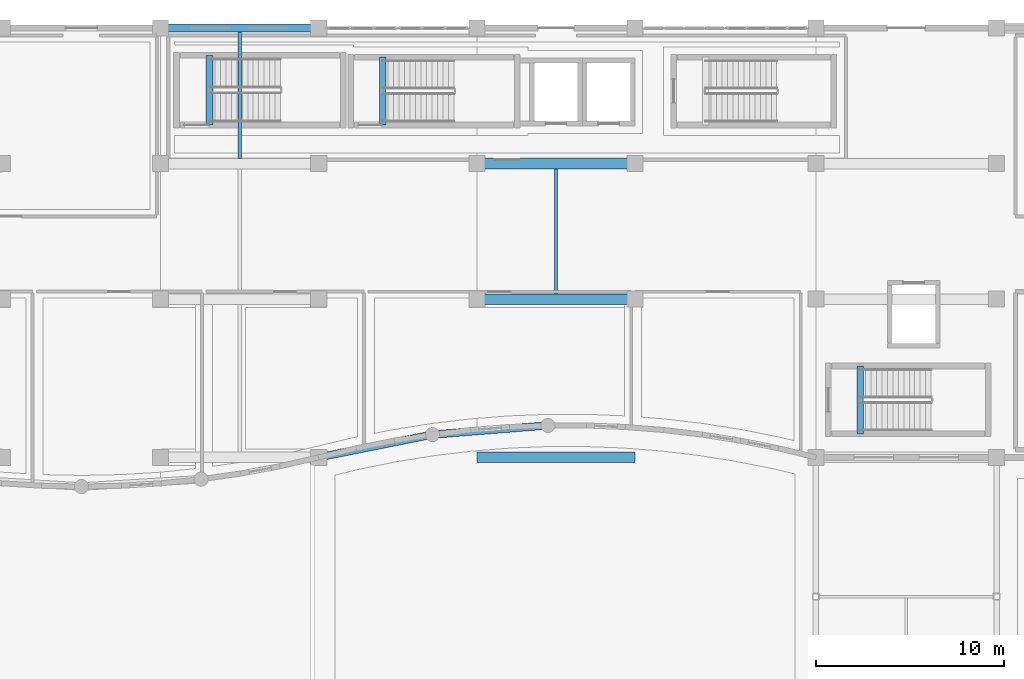
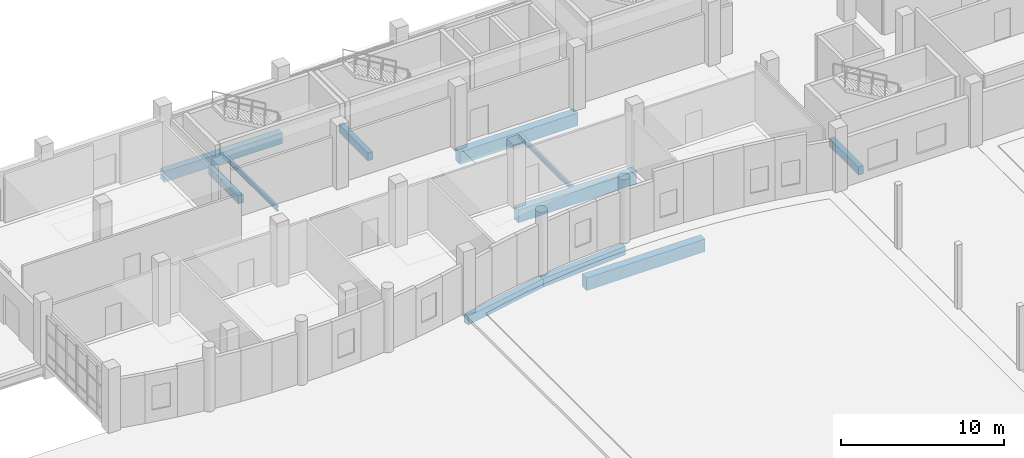
# One storey, part 32 of 97: 11 beams.
"""IFC4 building model written with IfcOpenShell, lengths in metres."""

from ifc_helpers import new_model, si_unit, direction, frame, origin, origin_2d, place, context, subcontext, project, spatial, rectangle, i_section, extrude, material, material_profile, profile_set, type_object, element, save


model = new_model("IFC4")

# Units and contexts
model_context = context("Model", 3, precision=1e-05, world=origin(), true_north=direction((0.0, 1.0)))
body_context = subcontext(model_context, "Body", "Model", "MODEL_VIEW")
ifc_project = project(units=[si_unit("LENGTHUNIT", "METRE"), si_unit("AREAUNIT", "SQUARE_METRE"), si_unit("VOLUMEUNIT", "CUBIC_METRE"), si_unit("PLANEANGLEUNIT", "RADIAN"), si_unit("MASSUNIT", "GRAM", prefix="KILO")], contexts=[model_context])

# Site, building, storey
site_placement = place(None, origin())
site = spatial("IfcSite", under=ifc_project, at=site_placement, CompositionType="ELEMENT")
building_placement = place(site_placement, origin())
building = spatial("IfcBuilding", under=site, at=building_placement, Name="Kisaragi Civic Commons", CompositionType="ELEMENT")
storey_placement = place(building_placement, origin())
storey = spatial("IfcBuildingStorey", under=building, at=storey_placement, Name="L00", CompositionType="ELEMENT", Elevation=0.0)

# Beams
ifc_material_1 = material(Name="Concrete Fc36", Category="concrete")
ifc_material_profile_1 = material_profile(ifc_material_1, rectangle(XDim=0.550048828125, YDim=0.949951171875, at=origin_2d()), Name="RC-550x950", Category="concrete")
ifc_profile_set_1 = profile_set([ifc_material_profile_1], Name="Concrete Fc36")
beam_type_1 = type_object("IfcBeamType", Name="G-01", PredefinedType="BEAM", material=ifc_profile_set_1)
for number, where, z_axis, x_axis, name in (
    (1, (105.60009765625, 96.0, -0.800048828125), (1.0, 0.0, 0.0), (0.0, 1.0, 0.0), "L00 girder G-01 113"),
    (2, (105.60009765625, 104.39990234375, -0.800048828125), (1.0, 0.0, 0.0), (0.0, 1.0, 0.0), "L00 girder G-01 117"),
    (3, (105.60009765625, 111.60009765625, -0.800048828125), (1.0, 0.0, 0.0), (0.0, 1.0, 0.0), "L00 girder G-01 122"),
):
    element("IfcBeam", number, at=place(storey_placement, frame(where, z_axis=z_axis, x_axis=x_axis)), inside=storey, type_object=beam_type_1, Name=name, PredefinedType="BEAM", context=body_context, shape_type="SweptSolid", body=[
        extrude(rectangle(XDim=0.550048828125, YDim=0.949951171875, at=origin_2d()), origin(), (0.0, 0.0, 1.0), 8.39990234375),
    ])
ifc_material_2 = material(Name="Concrete Fc30", Category="concrete")
ifc_material_profile_2 = material_profile(ifc_material_2, rectangle(XDim=0.35009765625, YDim=0.60009765625, at=origin_2d()), Name="RC-350x600", Category="concrete")
ifc_profile_set_2 = profile_set([ifc_material_profile_2], Name="Concrete Fc30")
beam_type_2 = type_object("IfcBeamType", Name="G-14", PredefinedType="BEAM", material=ifc_profile_set_2)
for number, where, z_axis, x_axis, name in (
    (4, (100.60009765625, 113.64990234375, -0.300048828125), (0.0, 1.0, 0.0), (-1.0, 0.0, 0.0), "ST-L1 L00 stair landing trimmer beam"),
    (5, (125.949951171875, 97.25, -0.300048828125), (0.0, 1.0, 0.0), (-1.0, 0.0, 0.0), "ST-L3 L00 stair landing trimmer beam"),
):
    element("IfcBeam", number, at=place(storey_placement, frame(where, z_axis=z_axis, x_axis=x_axis)), inside=storey, type_object=beam_type_2, Name=name, PredefinedType="BEAM", context=body_context, shape_type="SweptSolid", body=[
        extrude(rectangle(XDim=0.35009765625, YDim=0.60009765625, at=origin_2d()), origin(), (0.0, 0.0, 1.0), 3.60009765625),
    ])
beam_1_placement = place(storey_placement, frame((91.39990234375, 113.64990234375, -0.300048828125), z_axis=(0.0, 1.0, 0.0), x_axis=(-1.0, 0.0, 0.0)))
element("IfcBeam", 6, at=beam_1_placement, inside=storey, type_object=beam_type_2, Name="ST-L4 L00 stair landing trimmer beam", PredefinedType="BEAM", context=body_context, shape_type="SweptSolid", body=[
    extrude(rectangle(XDim=0.35009765625, YDim=0.60009765625, at=origin_2d()), origin(), (0.0, 0.0, 1.0), 3.7001953125),
])
ifc_material_3 = material(Name="Steel SN400 (SN400B)", Category="steel")
ifc_material_profile_3 = material_profile(ifc_material_3, i_section(OverallWidth=0.175048828125, OverallDepth=0.35009765625, WebThickness=0.007080078125, FlangeThickness=0.010986328125, FilletRadius=0.012939453125, at=origin_2d()), Name="H-350x175x7x11", Category="steel")
ifc_profile_set_3 = profile_set([ifc_material_profile_3], Name="Steel SN400 (SN400B)")
beam_type_3 = type_object("IfcBeamType", Name="J-02", PredefinedType="JOIST", material=ifc_profile_set_3)
beam_2_placement = place(storey_placement, frame((93.0, 111.875, -0.5), z_axis=(0.0, 1.0, 0.0), x_axis=(-1.0, 0.0, 0.0)))
element("IfcBeam", 7, at=beam_2_placement, inside=storey, type_object=beam_type_3, Name="L00 secondary steel joist J-02 35", PredefinedType="JOIST", context=body_context, shape_type="SweptSolid", body=[
    extrude(i_section(OverallWidth=0.175048828125, OverallDepth=0.35009765625, WebThickness=0.007080078125, FlangeThickness=0.010986328125, FilletRadius=0.012939453125, at=origin_2d()), origin(), (0.0, 0.0, 1.0), 6.699951171875),
])
beam_3_placement = place(storey_placement, frame((109.800048828125, 104.675048828125, -0.5), z_axis=(0.0, 1.0, 0.0), x_axis=(-1.0, 0.0, 0.0)))
element("IfcBeam", 8, at=beam_3_placement, inside=storey, type_object=beam_type_3, Name="L00 secondary steel joist J-02 36", PredefinedType="JOIST", context=body_context, shape_type="SweptSolid", body=[
    extrude(i_section(OverallWidth=0.175048828125, OverallDepth=0.35009765625, WebThickness=0.007080078125, FlangeThickness=0.010986328125, FilletRadius=0.012939453125, at=origin_2d()), origin(), (0.0, 0.0, 1.0), 6.64990234375),
])
ifc_material_profile_4 = material_profile(ifc_material_2, rectangle(XDim=0.449951171875, YDim=0.800048828125, at=origin_2d()), Name="RC-450x800", Category="concrete")
ifc_profile_set_4 = profile_set([ifc_material_profile_4], Name="Concrete Fc30")
beam_type_4 = type_object("IfcBeamType", Name="SPB-01", PredefinedType="SPANDREL", material=ifc_profile_set_4)
beam_4_placement = place(storey_placement, frame((88.800048828125, 118.800048828125, -0.72509765625), z_axis=(1.0, 0.0, 0.0), x_axis=(0.0, 1.0, 0.0)))
element("IfcBeam", 9, at=beam_4_placement, inside=storey, type_object=beam_type_4, Name="L00 girder SPB-01 126", PredefinedType="SPANDREL", context=body_context, shape_type="SweptSolid", body=[
    extrude(rectangle(XDim=0.449951171875, YDim=0.800048828125, at=origin_2d()), origin(), (0.0, 0.0, 1.0), 8.39990234375),
])
ifc_material_profile_5 = material_profile(ifc_material_2, rectangle(XDim=0.39990234375, YDim=0.64990234375, at=origin_2d()), Name="RC-400x650", Category="concrete")
ifc_profile_set_5 = profile_set([ifc_material_profile_5], Name="Concrete Fc30")
beam_type_5 = type_object("IfcBeamType", Name="SPB-02", PredefinedType="SPANDREL", material=ifc_profile_set_5)
beam_5_placement = place(storey_placement, frame((97.199951171875, 96.0, -0.64990234375), z_axis=(0.980574574042, 0.196146640913, 0.0), x_axis=(-0.196146640913, 0.980574574042, 0.0)))
element("IfcBeam", 10, at=beam_5_placement, inside=storey, type_object=beam_type_5, Name="L00 curved spandrel/ring girder SPB-02 131", PredefinedType="SPANDREL", context=body_context, shape_type="SweptSolid", body=[
    extrude(rectangle(XDim=0.39990234375, YDim=0.64990234375, at=origin_2d()), origin(), (0.0, 0.0, 1.0), 6.15625),
])
beam_6_placement = place(storey_placement, frame((103.236572265625, 97.20751953125, -0.64990234375), z_axis=(0.996883884337, 0.078882958543, 0.0), x_axis=(-0.078882958543, 0.996883884337, 0.0)))
element("IfcBeam", 11, at=beam_6_placement, inside=storey, type_object=beam_type_5, Name="L00 curved spandrel/ring girder SPB-02 132", PredefinedType="SPANDREL", context=body_context, shape_type="SweptSolid", body=[
    extrude(rectangle(XDim=0.39990234375, YDim=0.64990234375, at=origin_2d()), origin(), (0.0, 0.0, 1.0), 6.156005859375),
])

save(model, "model.ifc")
